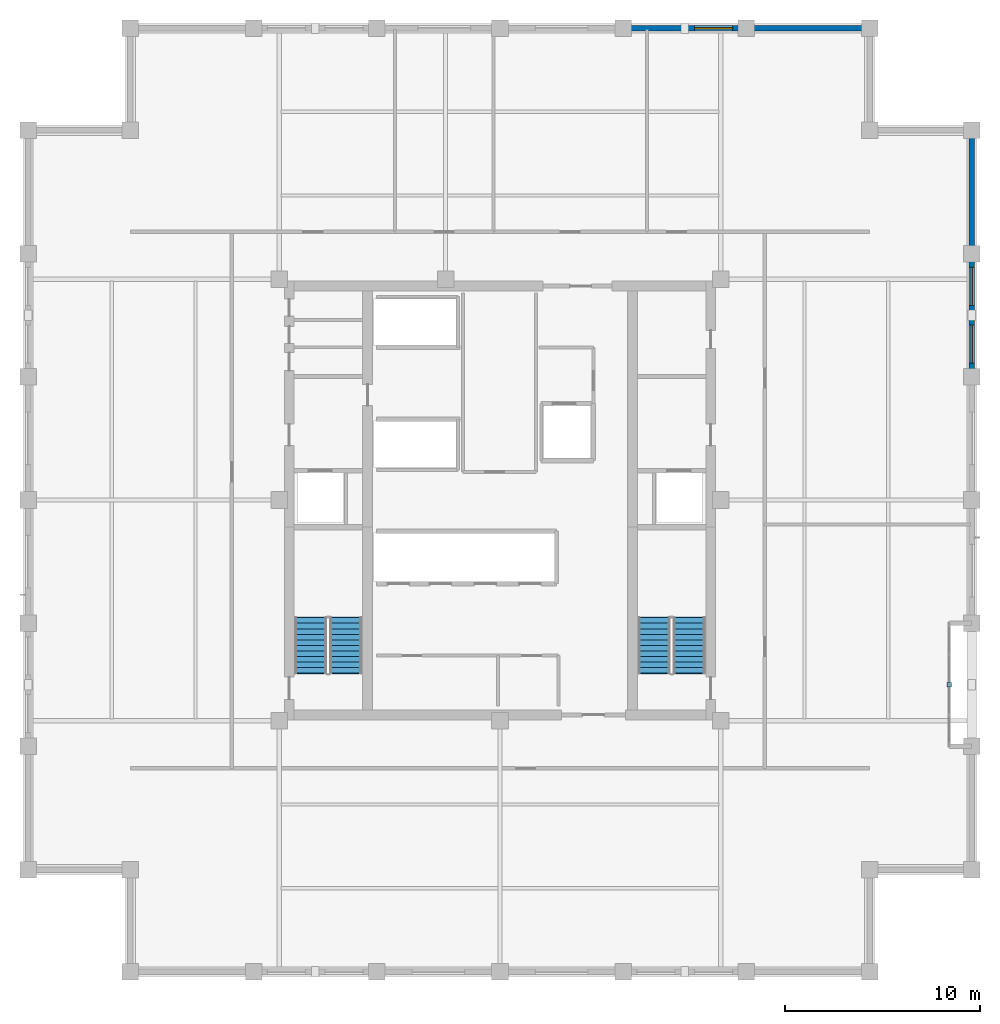
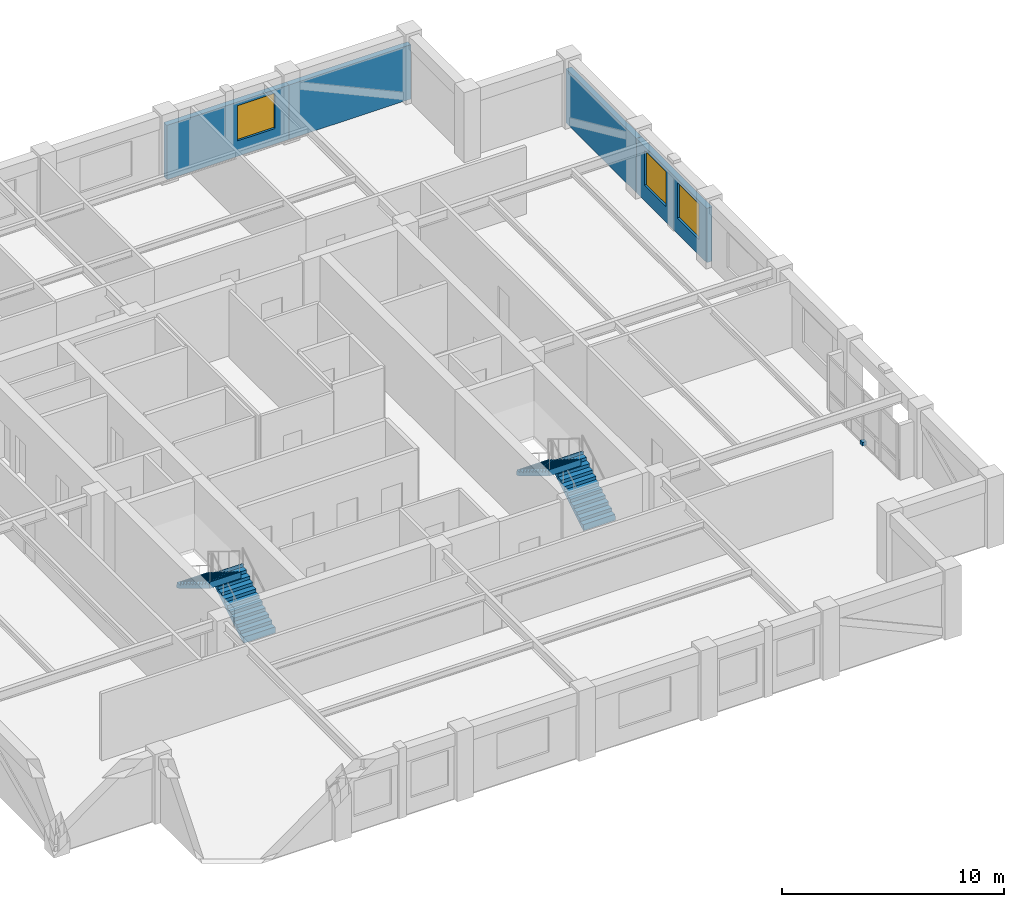
# One storey, part 10 of 11: 4 stair flights, 4 walls, 3 windows, 1 discrete accessory, 3 openings, 2 elements without a shape of their own.
"""IFC4 building model written with IfcOpenShell, lengths in metres."""

from ifc_helpers import new_model, si_unit, direction, frame, frame_2d, origin, origin_2d, place, context, subcontext, project, spatial, polyline, rectangle, outline, extrude, material, layer, layer_set, type_object, element, fill, aggregate, save


model = new_model("IFC4")

# Units and contexts
model_context = context("Model", 3, precision=1e-05, world=origin(), true_north=direction((0.0, 1.0)))
body_context = subcontext(model_context, "Body", "Model", "MODEL_VIEW")
ifc_project = project(units=[si_unit("LENGTHUNIT", "METRE"), si_unit("AREAUNIT", "SQUARE_METRE"), si_unit("VOLUMEUNIT", "CUBIC_METRE"), si_unit("PLANEANGLEUNIT", "RADIAN"), si_unit("MASSUNIT", "GRAM", prefix="KILO")], contexts=[model_context])

# Site, building, storey
site_placement = place(None, origin())
site = spatial("IfcSite", under=ifc_project, at=site_placement, CompositionType="ELEMENT")
building_placement = place(site_placement, origin())
building = spatial("IfcBuilding", under=site, at=building_placement, Name="Nhamokura Convention Tower", CompositionType="ELEMENT")
storey_placement = place(building_placement, frame((0.0, 0.0, 244.64990234375)))
storey = spatial("IfcBuildingStorey", under=building, at=storey_placement, Name="L60", CompositionType="ELEMENT", Elevation=244.64990234375)

# Wall, opening, window
ifc_material_1 = material(Name="Bronze-pigmented precast concrete C45/55", Category="concrete")
ifc_layer = layer(ifc_material_1, 0.280029296875)
ifc_layer_set = layer_set([ifc_layer], Name="BronzePrecastSpandrel_280")
wall_type = type_object("IfcWallType", Name="BronzePrecastSpandrel_280", PredefinedType="USERDEFINED", material=ifc_layer_set)
wall_1_placement = place(storey_placement, frame((38.333251953125, 56.25, 0.0), z_axis=(0.0, 0.0, 1.0), x_axis=(1.0, 0.0, 0.0)))
wall_1 = element("IfcWall", 1, at=wall_1_placement, inside=storey, type_object=wall_type, Name="L60 Masonry-Frame Wall NORTH 4", ObjectType="SPANDREL_WALL", PredefinedType="USERDEFINED", context=body_context, shape_type="SweptSolid", body=[
    extrude(rectangle(XDim=6.33349609375, YDim=0.280029296875, at=frame_2d((3.166748046875, 0.0))), origin(), (0.0, 0.0, 1.0), 2.985107421875),
])
opening_1_placement = place(wall_1_placement, frame((3.675048828125, 0.0, 0.85009765625)))
opening_1 = element("IfcOpeningElement", 2, at=opening_1_placement, cuts=wall_1, Name="Opening W-08", PredefinedType="OPENING", context=body_context, shape_type="SweptSolid", body=[
    extrude(rectangle(XDim=1.949951171875, YDim=1.93505859375, at=frame_2d((0.97509765625, 0.967529296875))), frame((0.0, 0.14990234375, 0.0), z_axis=(0.0, -1.0, 0.0), x_axis=(1.0, 0.0, 0.0)), (0.0, 0.0, 1.0), 0.300048828125),
])
ifc_material_2 = material(Name="Solar-control bronze low-E double glass", Category="glass")
window_type = type_object("IfcWindowType", Name="OfficeModuleWindow_Z3_1950", PartitioningType="SINGLE_PANEL", PredefinedType="WINDOW", material=ifc_material_2)
window_1_placement = place(opening_1_placement, origin())
window_1 = element("IfcWindow", 3, at=window_1_placement, inside=storey, type_object=window_type, Name="L60 Facade Window NORTH 4-3", OverallHeight=1.93505859375, OverallWidth=1.949951171875, PartitioningType="SINGLE_PANEL", PredefinedType="WINDOW", context=body_context, shape_type="SweptSolid", body=[
    extrude(rectangle(XDim=1.949951171875, YDim=1.93505859375, at=frame_2d((0.97509765625, 0.967529296875))), frame((0.0, 0.030029296875, 0.0), z_axis=(0.0, -1.0, 0.0), x_axis=(1.0, 0.0, 0.0)), (0.0, 0.0, 1.0), 0.06005859375),
])
fill(opening_1, window_1)

# Wall
wall_2_placement = place(storey_placement, frame((44.666748046875, 56.25, 0.0), z_axis=(0.0, 0.0, 1.0), x_axis=(1.0, 0.0, 0.0)))
element("IfcWall", 4, at=wall_2_placement, inside=storey, type_object=wall_type, Name="L60 Braced-Bay Precast Wall NORTH 5", ObjectType="SPANDREL_WALL", PredefinedType="USERDEFINED", context=body_context, shape_type="SweptSolid", body=[
    extrude(rectangle(XDim=6.333251953125, YDim=0.280029296875, at=frame_2d((3.16650390625, 0.0))), origin(), (0.0, 0.0, 1.0), 2.985107421875),
])

# Wall, openings, windows
wall_3_placement = place(storey_placement, frame((56.25, 44.666748046875, 0.0), z_axis=(0.0, 0.0, 1.0), x_axis=(0.0, -1.0, 0.0)))
wall_3 = element("IfcWall", 5, at=wall_3_placement, inside=storey, type_object=wall_type, Name="L60 Masonry-Frame Wall EAST 4", ObjectType="SPANDREL_WALL", PredefinedType="USERDEFINED", context=body_context, shape_type="SweptSolid", body=[
    extrude(rectangle(XDim=6.33349609375, YDim=0.280029296875, at=frame_2d((3.166748046875, 0.0))), origin(), (0.0, 0.0, 1.0), 2.985107421875),
])
opening_2_placement = place(wall_3_placement, frame((0.708251953125, 0.0, 0.85009765625)))
opening_2 = element("IfcOpeningElement", 6, at=opening_2_placement, cuts=wall_3, Name="Opening W-08", PredefinedType="OPENING", context=body_context, shape_type="SweptSolid", body=[
    extrude(rectangle(XDim=1.949951171875, YDim=1.93505859375, at=frame_2d((0.97509765625, 0.967529296875))), frame((0.0, 0.14990234375, 0.0), z_axis=(0.0, -1.0, 0.0), x_axis=(1.0, 0.0, 0.0)), (0.0, 0.0, 1.0), 0.300048828125),
])
opening_3_placement = place(wall_3_placement, frame((3.675048828125, 0.0, 0.85009765625)))
opening_3 = element("IfcOpeningElement", 7, at=opening_3_placement, cuts=wall_3, Name="Opening W-08", PredefinedType="OPENING", context=body_context, shape_type="SweptSolid", body=[
    extrude(rectangle(XDim=1.949951171875, YDim=1.93505859375, at=frame_2d((0.97509765625, 0.967529296875))), frame((0.0, 0.14990234375, 0.0), z_axis=(0.0, -1.0, 0.0), x_axis=(1.0, 0.0, 0.0)), (0.0, 0.0, 1.0), 0.300048828125),
])
window_2_placement = place(opening_2_placement, origin())
window_2 = element("IfcWindow", 8, at=window_2_placement, inside=storey, type_object=window_type, Name="L60 Facade Window EAST 4-1", OverallHeight=1.93505859375, OverallWidth=1.949951171875, PartitioningType="SINGLE_PANEL", PredefinedType="WINDOW", context=body_context, shape_type="SweptSolid", body=[
    extrude(rectangle(XDim=1.949951171875, YDim=1.93505859375, at=frame_2d((0.97509765625, 0.967529296875))), frame((0.0, 0.030029296875, 0.0), z_axis=(0.0, -1.0, 0.0), x_axis=(1.0, 0.0, 0.0)), (0.0, 0.0, 1.0), 0.06005859375),
])
fill(opening_2, window_2)
window_3_placement = place(opening_3_placement, origin())
window_3 = element("IfcWindow", 9, at=window_3_placement, inside=storey, type_object=window_type, Name="L60 Facade Window EAST 4-2", OverallHeight=1.93505859375, OverallWidth=1.949951171875, PartitioningType="SINGLE_PANEL", PredefinedType="WINDOW", context=body_context, shape_type="SweptSolid", body=[
    extrude(rectangle(XDim=1.949951171875, YDim=1.93505859375, at=frame_2d((0.97509765625, 0.967529296875))), frame((0.0, 0.030029296875, 0.0), z_axis=(0.0, -1.0, 0.0), x_axis=(1.0, 0.0, 0.0)), (0.0, 0.0, 1.0), 0.06005859375),
])
fill(opening_3, window_3)

# Wall
wall_4_placement = place(storey_placement, frame((56.25, 51.0, 0.0), z_axis=(0.0, 0.0, 1.0), x_axis=(0.0, -1.0, 0.0)))
element("IfcWall", 10, at=wall_4_placement, inside=storey, type_object=wall_type, Name="L60 Braced-Bay Precast Wall EAST 5", ObjectType="SPANDREL_WALL", PredefinedType="USERDEFINED", context=body_context, shape_type="SweptSolid", body=[
    extrude(rectangle(XDim=6.333251953125, YDim=0.280029296875, at=frame_2d((3.16650390625, 0.0))), origin(), (0.0, 0.0, 1.0), 2.985107421875),
])

# Stair, stair flights
ifc_material_3 = material(Name="Concrete C40/50", Category="concrete")
stair_type = type_object("IfcStairType", Name="TowerCoreStair_1650", PredefinedType="HALF_TURN_STAIR", material=ifc_material_3)
stair_1_placement = place(storey_placement, origin())
stair_1 = element("IfcStair", 11, at=stair_1_placement, inside=storey, type_object=stair_type, Name="L60 West Core Smokeproof Stair ST-01", PredefinedType="HALF_TURN_STAIR")
ifc_material_4 = material(Name="Concrete C40/50", Category="concrete")
stair_flight_type = type_object("IfcStairFlightType", Name="TowerCoreStair_1650_Flight", PredefinedType="STRAIGHT", material=ifc_material_4)
stair_flight_1_placement = place(storey_placement, frame((24.074951171875, 23.10009765625, 0.0), z_axis=(0.0, 0.0, 1.0), x_axis=(0.0, 1.0, 0.0)))
stair_flight_1 = element("IfcStairFlight", 12, at=stair_flight_1_placement, type_object=stair_flight_type, Name="ST-01 flight 1", NumberOfRisers=11, NumberOfTreads=10, PredefinedType="STRAIGHT", RiserHeight=0.175, TreadLength=0.285, context=body_context, shape_type="SweptSolid", body=[
    extrude(outline(polyline([(-0.0419921875, 0.0), (0.0, 0.175048828125), (0.284912109375, 0.175048828125), (0.284912109375, 0.35009765625), (0.570068359375, 0.35009765625), (0.570068359375, 0.52490234375), (0.85498046875, 0.52490234375), (0.85498046875, 0.699951171875), (1.139892578125, 0.699951171875), (1.139892578125, 0.875), (1.425048828125, 0.875), (1.425048828125, 1.050048828125), (1.7099609375, 1.050048828125), (1.7099609375, 1.22509765625), (1.9951171875, 1.22509765625), (1.9951171875, 1.39990234375), (2.280029296875, 1.39990234375), (2.280029296875, 1.574951171875), (2.56494140625, 1.574951171875), (2.56494140625, 1.75), (2.85009765625, 1.75), (2.85009765625, 1.925048828125), (2.89208984375, 1.925048828125), (2.89208984375, 1.573974609375), (2.85009765625, 1.573974609375), (0.286376953125, 0.0), (0.02001953125, -0.1298828125), (-0.0419921875, -0.1298828125), (-0.0419921875, 0.0)])), frame((0.0, 0.824951171875, 0.0), z_axis=(0.0, -1.0, 0.0), x_axis=(1.0, 0.0, 0.0)), (0.0, 0.0, 1.0), 1.64990234375),
])
stair_flight_2_placement = place(storey_placement, frame((22.27490234375, 25.949951171875, 1.925048828125), z_axis=(0.0, 0.0, 1.0), x_axis=(0.0, -1.0, 0.0)))
stair_flight_2 = element("IfcStairFlight", 13, at=stair_flight_2_placement, type_object=stair_flight_type, Name="ST-01 flight 2", NumberOfRisers=11, NumberOfTreads=10, PredefinedType="STRAIGHT", RiserHeight=0.175, TreadLength=0.285, context=body_context, shape_type="SweptSolid", body=[
    extrude(outline(polyline([(-0.0419921875, 0.0), (0.0, 0.175048828125), (0.284912109375, 0.175048828125), (0.284912109375, 0.35009765625), (0.570068359375, 0.35009765625), (0.570068359375, 0.52490234375), (0.85498046875, 0.52490234375), (0.85498046875, 0.699951171875), (1.139892578125, 0.699951171875), (1.139892578125, 0.875), (1.425048828125, 0.875), (1.425048828125, 1.050048828125), (1.7099609375, 1.050048828125), (1.7099609375, 1.22509765625), (1.9951171875, 1.22509765625), (1.9951171875, 1.39990234375), (2.280029296875, 1.39990234375), (2.280029296875, 1.574951171875), (2.56494140625, 1.574951171875), (2.56494140625, 1.75), (2.85009765625, 1.75), (2.85009765625, 1.925048828125), (2.89208984375, 1.925048828125), (2.89208984375, 1.573974609375), (2.85009765625, 1.573974609375), (0.286376953125, 0.0), (0.02001953125, -0.1298828125), (-0.0419921875, -0.1298828125), (-0.0419921875, 0.0)])), frame((0.0, 0.824951171875, 0.0), z_axis=(0.0, -1.0, 0.0), x_axis=(1.0, 0.0, 0.0)), (0.0, 0.0, 1.0), 1.64990234375),
])
aggregate(stair_1, [stair_flight_1, stair_flight_2])

stair_2_placement = place(storey_placement, origin())
stair_2 = element("IfcStair", 14, at=stair_2_placement, inside=storey, type_object=stair_type, Name="L60 East Core Smokeproof Stair ST-02", PredefinedType="HALF_TURN_STAIR")
stair_flight_3_placement = place(storey_placement, frame((41.72509765625, 23.10009765625, 0.0), z_axis=(0.0, 0.0, 1.0), x_axis=(0.0, 1.0, 0.0)))
stair_flight_3 = element("IfcStairFlight", 15, at=stair_flight_3_placement, type_object=stair_flight_type, Name="ST-02 flight 1", NumberOfRisers=11, NumberOfTreads=10, PredefinedType="STRAIGHT", RiserHeight=0.175, TreadLength=0.285, context=body_context, shape_type="SweptSolid", body=[
    extrude(outline(polyline([(-0.0419921875, 0.0), (0.0, 0.175048828125), (0.284912109375, 0.175048828125), (0.284912109375, 0.35009765625), (0.570068359375, 0.35009765625), (0.570068359375, 0.52490234375), (0.85498046875, 0.52490234375), (0.85498046875, 0.699951171875), (1.139892578125, 0.699951171875), (1.139892578125, 0.875), (1.425048828125, 0.875), (1.425048828125, 1.050048828125), (1.7099609375, 1.050048828125), (1.7099609375, 1.22509765625), (1.9951171875, 1.22509765625), (1.9951171875, 1.39990234375), (2.280029296875, 1.39990234375), (2.280029296875, 1.574951171875), (2.56494140625, 1.574951171875), (2.56494140625, 1.75), (2.85009765625, 1.75), (2.85009765625, 1.925048828125), (2.89208984375, 1.925048828125), (2.89208984375, 1.573974609375), (2.85009765625, 1.573974609375), (0.286376953125, 0.0), (0.02001953125, -0.1298828125), (-0.0419921875, -0.1298828125), (-0.0419921875, 0.0)])), frame((0.0, 0.824951171875, 0.0), z_axis=(0.0, -1.0, 0.0), x_axis=(1.0, 0.0, 0.0)), (0.0, 0.0, 1.0), 1.64990234375),
])
stair_flight_4_placement = place(storey_placement, frame((39.925048828125, 25.949951171875, 1.925048828125), z_axis=(0.0, 0.0, 1.0), x_axis=(0.0, -1.0, 0.0)))
stair_flight_4 = element("IfcStairFlight", 16, at=stair_flight_4_placement, type_object=stair_flight_type, Name="ST-02 flight 2", NumberOfRisers=11, NumberOfTreads=10, PredefinedType="STRAIGHT", RiserHeight=0.175, TreadLength=0.285, context=body_context, shape_type="SweptSolid", body=[
    extrude(outline(polyline([(-0.0419921875, 0.0), (0.0, 0.175048828125), (0.284912109375, 0.175048828125), (0.284912109375, 0.35009765625), (0.570068359375, 0.35009765625), (0.570068359375, 0.52490234375), (0.85498046875, 0.52490234375), (0.85498046875, 0.699951171875), (1.139892578125, 0.699951171875), (1.139892578125, 0.875), (1.425048828125, 0.875), (1.425048828125, 1.050048828125), (1.7099609375, 1.050048828125), (1.7099609375, 1.22509765625), (1.9951171875, 1.22509765625), (1.9951171875, 1.39990234375), (2.280029296875, 1.39990234375), (2.280029296875, 1.574951171875), (2.56494140625, 1.574951171875), (2.56494140625, 1.75), (2.85009765625, 1.75), (2.85009765625, 1.925048828125), (2.89208984375, 1.925048828125), (2.89208984375, 1.573974609375), (2.85009765625, 1.573974609375), (0.286376953125, 0.0), (0.02001953125, -0.1298828125), (-0.0419921875, -0.1298828125), (-0.0419921875, 0.0)])), frame((0.0, 0.824951171875, 0.0), z_axis=(0.0, -1.0, 0.0), x_axis=(1.0, 0.0, 0.0)), (0.0, 0.0, 1.0), 1.64990234375),
])
aggregate(stair_2, [stair_flight_3, stair_flight_4])

# Discrete accessory
ifc_material_5 = material(Name="Steel ASTM A572 Gr 50", Category="steel")
discrete_accessory_type = type_object("IfcDiscreteAccessoryType", Name="FacadeOutstandBracket", PredefinedType="BRACKET", material=ifc_material_5)
discrete_accessory_placement = place(storey_placement, frame((55.10009765625, 22.5, -0.02001953125), z_axis=(0.0, 0.0, 1.0), x_axis=(1.0, 0.0, 0.0)))
element("IfcDiscreteAccessory", 17, at=discrete_accessory_placement, inside=storey, type_object=discrete_accessory_type, Name="L60 Scale Slot Base Shoe Bracket EAST 1", PredefinedType="BRACKET", context=body_context, shape_type="SweptSolid", body=[
    extrude(rectangle(XDim=0.219970703125, YDim=0.219970703125, at=origin_2d()), origin(), (0.0, 0.0, 1.0), 0.199951171875),
])

save(model, "model.ifc")
